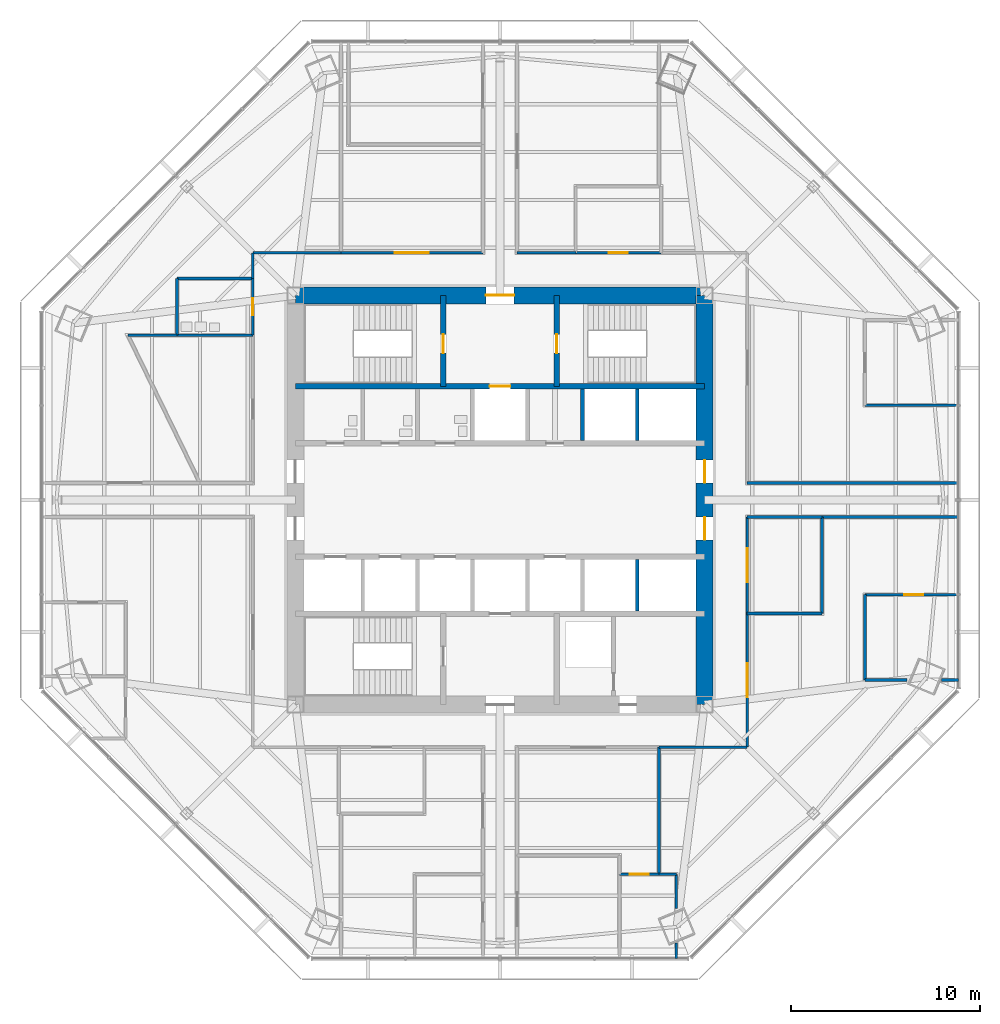
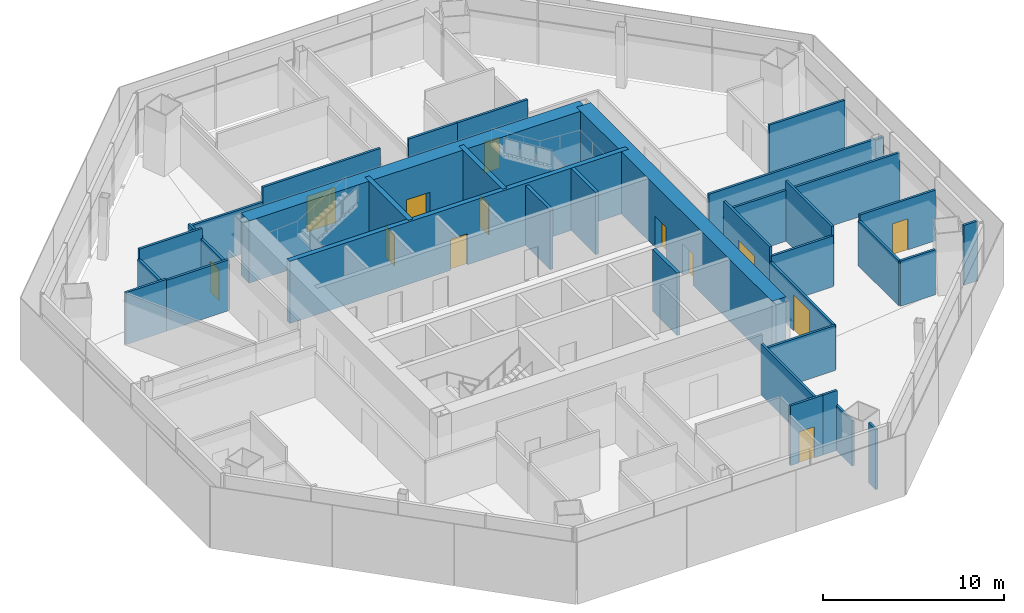
# One storey, part 10 of 14: 36 walls, 13 doors, 13 openings.
"""IFC4 building model written with IfcOpenShell, lengths in metres."""

from ifc_helpers import new_model, si_unit, direction, frame, frame_2d, origin, place, context, subcontext, project, spatial, rectangle, extrude, material, layer, layer_set, type_object, element, fill, save


model = new_model("IFC4")

# Units and contexts
model_context = context("Model", 3, precision=1e-05, world=origin(), true_north=direction((0.0, 1.0)))
body_context = subcontext(model_context, "Body", "Model", "MODEL_VIEW")
ifc_project = project(units=[si_unit("LENGTHUNIT", "METRE"), si_unit("AREAUNIT", "SQUARE_METRE"), si_unit("VOLUMEUNIT", "CUBIC_METRE"), si_unit("PLANEANGLEUNIT", "RADIAN"), si_unit("MASSUNIT", "GRAM", prefix="KILO")], contexts=[model_context])

# Site, building, storey
site_placement = place(None, origin())
site = spatial("IfcSite", under=ifc_project, at=site_placement, CompositionType="ELEMENT")
building_placement = place(site_placement, origin())
building = spatial("IfcBuilding", under=site, at=building_placement, Name="Mashrafa Tower", CompositionType="ELEMENT")
storey_placement = place(building_placement, frame((0.0, 0.0, 134.39990234375)))
storey = spatial("IfcBuildingStorey", under=building, at=storey_placement, Name="L30", CompositionType="ELEMENT", Elevation=134.39990234375)

# Wall, opening, door
ifc_material_1 = material(Name="Concrete C60/75", Category="concrete")
ifc_layer_1 = layer(ifc_material_1, 0.300048828125)
ifc_layer_set_1 = layer_set([ifc_layer_1], Name="Core wall 300 C60/75")
wall_type_1 = type_object("IfcWallType", Name="Core wall 300 C60/75", PredefinedType="SOLIDWALL", material=ifc_layer_set_1)
wall_1_placement = place(storey_placement, frame((-10.800048828125, 6.0, 0.0), z_axis=(0.0, 0.0, 1.0), x_axis=(1.0, 0.0, 0.0)))
wall_1 = element("IfcWall", 1, at=wall_1_placement, inside=storey, type_object=wall_type_1, Name="Core wall CB-N L30", PredefinedType="SOLIDWALL", context=body_context, shape_type="SweptSolid", body=[
    extrude(rectangle(XDim=21.60009765625, YDim=0.300048828125, at=frame_2d((10.800048828125, 0.0))), origin(), (0.0, 0.0, 1.0), 4.2001953125),
])
opening_1_placement = place(wall_1_placement, frame((10.25, 0.0, 0.0)))
opening_1 = element("IfcOpeningElement", 2, at=opening_1_placement, cuts=wall_1, Name="Opening 30.F1", PredefinedType="OPENING", context=body_context, shape_type="SweptSolid", body=[
    extrude(rectangle(XDim=1.10009765625, YDim=2.10009765625, at=frame_2d((0.550048828125, 1.050048828125))), frame((0.0, 0.159912109375, 0.0), z_axis=(0.0, -1.0, 0.0), x_axis=(1.0, 0.0, 0.0)), (0.0, 0.0, 1.0), 0.320068359375),
])
ifc_material_2 = material(Name="Steel door", Category="steel")
door_type_1 = type_object("IfcDoorType", Name="Lift landing door 1100 x 2100 90 min", OperationType="DOUBLE_DOOR_SLIDING", PredefinedType="DOOR", material=ifc_material_2)
door_1_placement = place(opening_1_placement, origin())
door_1 = element("IfcDoor", 3, at=door_1_placement, inside=storey, type_object=door_type_1, Name="Lift landing door F1 L30", OperationType="DOUBLE_DOOR_SLIDING", OverallHeight=2.10009765625, OverallWidth=1.10009765625, PredefinedType="DOOR", context=body_context, shape_type="SweptSolid", body=[
    extrude(rectangle(XDim=1.10009765625, YDim=2.10009765625, at=frame_2d((0.550048828125, 1.050048828125))), frame((0.0, 0.02490234375, 0.0), z_axis=(0.0, -1.0, 0.0), x_axis=(1.0, 0.0, 0.0)), (0.0, 0.0, 1.0), 0.050048828125),
])
fill(opening_1, door_1)

wall_2_placement = place(storey_placement, frame((-3.0, 6.0, 0.0), z_axis=(0.0, 0.0, 1.0), x_axis=(0.0, 1.0, 0.0)))
wall_2 = element("IfcWall", 4, at=wall_2_placement, inside=storey, type_object=wall_type_1, Name="Core wall CX-NW L30", PredefinedType="SOLIDWALL", context=body_context, shape_type="SweptSolid", body=[
    extrude(rectangle(XDim=4.800048828125, YDim=0.300048828125, at=frame_2d((2.39990234375, 0.0))), origin(), (0.0, 0.0, 1.0), 4.2001953125),
])
opening_2_placement = place(wall_2_placement, frame((1.75, 0.0, 0.0)))
opening_2 = element("IfcOpeningElement", 5, at=opening_2_placement, cuts=wall_2, Name="Opening 30.028", PredefinedType="OPENING", context=body_context, shape_type="SweptSolid", body=[
    extrude(rectangle(XDim=1.0, YDim=2.10009765625, at=frame_2d((0.5, 1.050048828125))), frame((0.0, 0.159912109375, 0.0), z_axis=(0.0, -1.0, 0.0), x_axis=(1.0, 0.0, 0.0)), (0.0, 0.0, 1.0), 0.320068359375),
])
ifc_material_3 = material(Name="Steel door", Category="steel")
door_type_2 = type_object("IfcDoorType", Name="Stair door 1000 x 2100 90 min", OperationType="USERDEFINED", PredefinedType="DOOR", material=ifc_material_3)
door_2_placement = place(opening_2_placement, origin())
door_2 = element("IfcDoor", 6, at=door_2_placement, inside=storey, type_object=door_type_2, Name="Stair S1 door L30", OperationType="SINGLE_SWING_LEFT", OverallHeight=2.10009765625, OverallWidth=1.0, PredefinedType="DOOR", context=body_context, shape_type="SweptSolid", body=[
    extrude(rectangle(XDim=1.0, YDim=2.10009765625, at=frame_2d((0.5, 1.050048828125))), frame((0.0, 0.02490234375, 0.0), z_axis=(0.0, -1.0, 0.0), x_axis=(1.0, 0.0, 0.0)), (0.0, 0.0, 1.0), 0.050048828125),
])
fill(opening_2, door_2)

wall_3_placement = place(storey_placement, frame((3.0, 6.0, 0.0), z_axis=(0.0, 0.0, 1.0), x_axis=(0.0, 1.0, 0.0)))
wall_3 = element("IfcWall", 7, at=wall_3_placement, inside=storey, type_object=wall_type_1, Name="Core wall CX-NE L30", PredefinedType="SOLIDWALL", context=body_context, shape_type="SweptSolid", body=[
    extrude(rectangle(XDim=4.800048828125, YDim=0.300048828125, at=frame_2d((2.39990234375, 0.0))), origin(), (0.0, 0.0, 1.0), 4.2001953125),
])
opening_3_placement = place(wall_3_placement, frame((1.75, 0.0, 0.0)))
opening_3 = element("IfcOpeningElement", 8, at=opening_3_placement, cuts=wall_3, Name="Opening 30.029", PredefinedType="OPENING", context=body_context, shape_type="SweptSolid", body=[
    extrude(rectangle(XDim=1.0, YDim=2.10009765625, at=frame_2d((0.5, 1.050048828125))), frame((0.0, 0.159912109375, 0.0), z_axis=(0.0, -1.0, 0.0), x_axis=(1.0, 0.0, 0.0)), (0.0, 0.0, 1.0), 0.320068359375),
])
door_3_placement = place(opening_3_placement, frame((1.0, 0.0, 0.0), z_axis=(0.0, 0.0, 1.0), x_axis=(-1.0, 0.0, 0.0)))
door_3 = element("IfcDoor", 9, at=door_3_placement, inside=storey, type_object=door_type_2, Name="Stair S2 door L30", OperationType="SINGLE_SWING_RIGHT", OverallHeight=2.10009765625, OverallWidth=1.0, PredefinedType="DOOR", context=body_context, shape_type="SweptSolid", body=[
    extrude(rectangle(XDim=1.0, YDim=2.10009765625, at=frame_2d((0.5, 1.050048828125))), frame((0.0, 0.02490234375, 0.0), z_axis=(0.0, -1.0, 0.0), x_axis=(1.0, 0.0, 0.0)), (0.0, 0.0, 1.0), 0.050048828125),
])
fill(opening_3, door_3)

# Wall, openings, doors
ifc_material_4 = material(Name="Concrete C60/75", Category="concrete")
ifc_layer_2 = layer(ifc_material_4, 0.89990234375)
ifc_layer_set_2 = layer_set([ifc_layer_2], Name="Core wall 900 C60/75")
wall_type_2 = type_object("IfcWallType", Name="Core wall 900 C60/75", PredefinedType="SOLIDWALL", material=ifc_layer_set_2)
wall_4_placement = place(storey_placement, frame((10.800048828125, -10.800048828125, 0.0), z_axis=(0.0, 0.0, 1.0), x_axis=(0.0, 1.0, 0.0)))
wall_4 = element("IfcWall", 10, at=wall_4_placement, inside=storey, type_object=wall_type_2, Name="Core wall CW-E L30", PredefinedType="SOLIDWALL", context=body_context, shape_type="SweptSolid", body=[
    extrude(rectangle(XDim=21.60009765625, YDim=0.89990234375, at=frame_2d((10.800048828125, 0.0))), origin(), (0.0, 0.0, 1.0), 4.2001953125),
])
opening_4_placement = place(wall_4_placement, frame((11.699951171875, 0.0, 0.0)))
opening_4 = element("IfcOpeningElement", 11, at=opening_4_placement, cuts=wall_4, Name="Opening 30.022", PredefinedType="OPENING", context=body_context, shape_type="SweptSolid", body=[
    extrude(rectangle(XDim=1.199951171875, YDim=2.10009765625, at=frame_2d((0.60009765625, 1.050048828125))), frame((0.0, 0.4599609375, 0.0), z_axis=(0.0, -1.0, 0.0), x_axis=(1.0, 0.0, 0.0)), (0.0, 0.0, 1.0), 0.919921875),
])
opening_5_placement = place(wall_4_placement, frame((8.699951171875, 0.0, 0.0)))
opening_5 = element("IfcOpeningElement", 12, at=opening_5_placement, cuts=wall_4, Name="Opening 30.024", PredefinedType="OPENING", context=body_context, shape_type="SweptSolid", body=[
    extrude(rectangle(XDim=1.199951171875, YDim=2.10009765625, at=frame_2d((0.60009765625, 1.050048828125))), frame((0.0, 0.4599609375, 0.0), z_axis=(0.0, -1.0, 0.0), x_axis=(1.0, 0.0, 0.0)), (0.0, 0.0, 1.0), 0.919921875),
])
ifc_material_5 = material(Name="Steel door", Category="steel")
door_type_3 = type_object("IfcDoorType", Name="Lift hall door 1200 x 2100 90 min", OperationType="USERDEFINED", PredefinedType="DOOR", material=ifc_material_5)
door_4_placement = place(opening_4_placement, frame((1.199951171875, 0.0, 0.0), z_axis=(0.0, 0.0, 1.0), x_axis=(-1.0, 0.0, 0.0)))
door_4 = element("IfcDoor", 13, at=door_4_placement, inside=storey, type_object=door_type_3, Name="Lift hall door east L30", OperationType="SINGLE_SWING_LEFT", OverallHeight=2.10009765625, OverallWidth=1.199951171875, PredefinedType="DOOR", context=body_context, shape_type="SweptSolid", body=[
    extrude(rectangle(XDim=1.199951171875, YDim=2.10009765625, at=frame_2d((0.60009765625, 1.050048828125))), frame((0.0, 0.02490234375, 0.0), z_axis=(0.0, -1.0, 0.0), x_axis=(1.0, 0.0, 0.0)), (0.0, 0.0, 1.0), 0.050048828125),
])
fill(opening_4, door_4)
door_5_placement = place(opening_5_placement, frame((1.199951171875, 0.0, 0.0), z_axis=(0.0, 0.0, 1.0), x_axis=(-1.0, 0.0, 0.0)))
door_5 = element("IfcDoor", 14, at=door_5_placement, inside=storey, type_object=door_type_3, Name="Lift hall door east L30", OperationType="SINGLE_SWING_RIGHT", OverallHeight=2.10009765625, OverallWidth=1.199951171875, PredefinedType="DOOR", context=body_context, shape_type="SweptSolid", body=[
    extrude(rectangle(XDim=1.199951171875, YDim=2.10009765625, at=frame_2d((0.60009765625, 1.050048828125))), frame((0.0, 0.02490234375, 0.0), z_axis=(0.0, -1.0, 0.0), x_axis=(1.0, 0.0, 0.0)), (0.0, 0.0, 1.0), 0.050048828125),
])
fill(opening_5, door_5)

# Wall, opening, door
wall_5_placement = place(storey_placement, frame((10.800048828125, 10.800048828125, 0.0), z_axis=(0.0, 0.0, 1.0), x_axis=(-1.0, 0.0, 0.0)))
wall_5 = element("IfcWall", 15, at=wall_5_placement, inside=storey, type_object=wall_type_2, Name="Core wall CW-N L30", PredefinedType="SOLIDWALL", context=body_context, shape_type="SweptSolid", body=[
    extrude(rectangle(XDim=21.60009765625, YDim=0.89990234375, at=frame_2d((10.800048828125, 0.0))), origin(), (0.0, 0.0, 1.0), 4.2001953125),
])
opening_6_placement = place(wall_5_placement, frame((10.050048828125, 0.0, 0.0)))
opening_6 = element("IfcOpeningElement", 16, at=opening_6_placement, cuts=wall_5, Name="Opening 30.026", PredefinedType="OPENING", context=body_context, shape_type="SweptSolid", body=[
    extrude(rectangle(XDim=1.5, YDim=2.10009765625, at=frame_2d((0.75, 1.050048828125))), frame((0.0, 0.4599609375, 0.0), z_axis=(0.0, -1.0, 0.0), x_axis=(1.0, 0.0, 0.0)), (0.0, 0.0, 1.0), 0.919921875),
])
ifc_material_6 = material(Name="Steel door", Category="steel")
door_type_4 = type_object("IfcDoorType", Name="Lobby door pair 1500 x 2100 90 min", OperationType="DOUBLE_DOOR_SINGLE_SWING", PredefinedType="DOOR", material=ifc_material_6)
door_6_placement = place(opening_6_placement, origin())
door_6 = element("IfcDoor", 17, at=door_6_placement, inside=storey, type_object=door_type_4, Name="Fire-fighting lobby F1 door L30", OperationType="DOUBLE_DOOR_SINGLE_SWING", OverallHeight=2.10009765625, OverallWidth=1.5, PredefinedType="DOOR", context=body_context, shape_type="SweptSolid", body=[
    extrude(rectangle(XDim=1.5, YDim=2.10009765625, at=frame_2d((0.75, 1.050048828125))), frame((0.0, 0.02490234375, 0.0), z_axis=(0.0, -1.0, 0.0), x_axis=(1.0, 0.0, 0.0)), (0.0, 0.0, 1.0), 0.050048828125),
])
fill(opening_6, door_6)

ifc_material_7 = material(Name="Gypsum board on steel studs", Category="steel")
ifc_layer_3 = layer(ifc_material_7, 0.14990234375)
ifc_layer_set_3 = layer_set([ifc_layer_3], Name="Corridor partition 150 1 hr")
wall_type_3 = type_object("IfcWallType", Name="Corridor partition 150 1 hr", PredefinedType="PARTITIONING", material=ifc_layer_set_3)
wall_6_placement = place(storey_placement, frame((-13.050048828125, 11.700927734375, 0.0), z_axis=(0.0, 0.0, 1.0), x_axis=(0.0, -1.0, 0.0)))
wall_6 = element("IfcWall", 18, at=wall_6_placement, inside=storey, type_object=wall_type_3, Name="Corridor wall L30-003", PredefinedType="PARTITIONING", context=body_context, shape_type="SweptSolid", body=[
    extrude(rectangle(XDim=3.001953125, YDim=0.14990234375, at=frame_2d((1.5009765625, 0.0))), origin(), (0.0, 0.0, 1.0), 3.0419921875),
])
opening_7_placement = place(wall_6_placement, frame((1.051025390625, 0.0, 0.0)))
opening_7 = element("IfcOpeningElement", 19, at=opening_7_placement, cuts=wall_6, Name="Opening 30.002", PredefinedType="OPENING", context=body_context, shape_type="SweptSolid", body=[
    extrude(rectangle(XDim=0.89990234375, YDim=2.10009765625, at=frame_2d((0.449951171875, 1.050048828125))), frame((0.0, 0.0849609375, 0.0), z_axis=(0.0, -1.0, 0.0), x_axis=(1.0, 0.0, 0.0)), (0.0, 0.0, 1.0), 0.169921875),
])
ifc_material_8 = material(Name="Timber door", Category="wood")
door_type_5 = type_object("IfcDoorType", Name="Toilet door 900 x 2100", OperationType="USERDEFINED", PredefinedType="DOOR", material=ifc_material_8)
door_7_placement = place(opening_7_placement, frame((0.89990234375, 0.0, 0.0), z_axis=(0.0, 0.0, 1.0), x_axis=(-1.0, 0.0, 0.0)))
door_7 = element("IfcDoor", 20, at=door_7_placement, inside=storey, type_object=door_type_5, Name="Ablution Room L30 door", OperationType="SINGLE_SWING_RIGHT", OverallHeight=2.10009765625, OverallWidth=0.89990234375, PredefinedType="DOOR", context=body_context, shape_type="SweptSolid", body=[
    extrude(rectangle(XDim=0.89990234375, YDim=2.10009765625, at=frame_2d((0.449951171875, 1.050048828125))), frame((0.0, 0.02490234375, 0.0), z_axis=(0.0, -1.0, 0.0), x_axis=(1.0, 0.0, 0.0)), (0.0, 0.0, 1.0), 0.050048828125),
])
fill(opening_7, door_7)

wall_7_placement = place(storey_placement, frame((8.5009765625, 13.050048828125, 0.0), z_axis=(0.0, 0.0, 1.0), x_axis=(-1.0, 0.0, 0.0)))
wall_7 = element("IfcWall", 21, at=wall_7_placement, inside=storey, type_object=wall_type_3, Name="Corridor wall L30-005", PredefinedType="PARTITIONING", context=body_context, shape_type="SweptSolid", body=[
    extrude(rectangle(XDim=4.501953125, YDim=0.14990234375, at=frame_2d((2.2509765625, 0.0))), origin(), (0.0, 0.0, 1.0), 4.03515625),
])
opening_8_placement = place(wall_7_placement, frame((1.7509765625, 0.0, 0.0)))
opening_8 = element("IfcOpeningElement", 22, at=opening_8_placement, cuts=wall_7, Name="Opening 30.004", PredefinedType="OPENING", context=body_context, shape_type="SweptSolid", body=[
    extrude(rectangle(XDim=1.0, YDim=2.10009765625, at=frame_2d((0.5, 1.050048828125))), frame((0.0, 0.0849609375, 0.0), z_axis=(0.0, -1.0, 0.0), x_axis=(1.0, 0.0, 0.0)), (0.0, 0.0, 1.0), 0.169921875),
])
ifc_material_9 = material(Name="Timber door", Category="wood")
door_type_6 = type_object("IfcDoorType", Name="Door 1000 x 2100", OperationType="USERDEFINED", PredefinedType="DOOR", material=ifc_material_9)
door_8_placement = place(opening_8_placement, frame((1.0, 0.0, 0.0), z_axis=(0.0, 0.0, 1.0), x_axis=(-1.0, 0.0, 0.0)))
door_8 = element("IfcDoor", 23, at=door_8_placement, inside=storey, type_object=door_type_6, Name="Pantry 30-N door", OperationType="SINGLE_SWING_RIGHT", OverallHeight=2.10009765625, OverallWidth=1.0, PredefinedType="DOOR", context=body_context, shape_type="SweptSolid", body=[
    extrude(rectangle(XDim=1.0, YDim=2.10009765625, at=frame_2d((0.5, 1.050048828125))), frame((0.0, 0.02490234375, 0.0), z_axis=(0.0, -1.0, 0.0), x_axis=(1.0, 0.0, 0.0)), (0.0, 0.0, 1.0), 0.050048828125),
])
fill(opening_8, door_8)

wall_8_placement = place(storey_placement, frame((13.050048828125, -6.0009765625, 0.0), z_axis=(0.0, 0.0, 1.0), x_axis=(0.0, 1.0, 0.0)))
wall_8 = element("IfcWall", 24, at=wall_8_placement, inside=storey, type_object=wall_type_3, Name="Corridor wall L30-006", PredefinedType="PARTITIONING", context=body_context, shape_type="SweptSolid", body=[
    extrude(rectangle(XDim=5.10107421875, YDim=0.14990234375, at=frame_2d((2.550537109375, 0.0))), origin(), (0.0, 0.0, 1.0), 4.03515625),
])
opening_9_placement = place(wall_8_placement, frame((1.650390625, 0.0, 0.0)))
opening_9 = element("IfcOpeningElement", 25, at=opening_9_placement, cuts=wall_8, Name="Opening 30.005", PredefinedType="OPENING", context=body_context, shape_type="SweptSolid", body=[
    extrude(rectangle(XDim=1.800048828125, YDim=2.39990234375, at=frame_2d((0.89990234375, 1.199951171875))), frame((0.0, 0.0849609375, 0.0), z_axis=(0.0, -1.0, 0.0), x_axis=(1.0, 0.0, 0.0)), (0.0, 0.0, 1.0), 0.169921875),
])
ifc_material_10 = material(Name="Steel door", Category="steel")
door_type_7 = type_object("IfcDoorType", Name="Door pair 1800 x 2400 90 min", OperationType="DOUBLE_DOOR_SINGLE_SWING", PredefinedType="DOOR", material=ifc_material_10)
door_9_placement = place(opening_9_placement, origin())
door_9 = element("IfcDoor", 26, at=door_9_placement, inside=storey, type_object=door_type_7, Name="Reception 30-S door", OperationType="DOUBLE_DOOR_SINGLE_SWING", OverallHeight=2.39990234375, OverallWidth=1.800048828125, PredefinedType="DOOR", context=body_context, shape_type="SweptSolid", body=[
    extrude(rectangle(XDim=1.800048828125, YDim=2.39990234375, at=frame_2d((0.89990234375, 1.199951171875))), frame((0.0, 0.02490234375, 0.0), z_axis=(0.0, -1.0, 0.0), x_axis=(1.0, 0.0, 0.0)), (0.0, 0.0, 1.0), 0.050048828125),
])
fill(opening_9, door_9)

# Walls
wall_9_placement = place(storey_placement, frame((13.050048828125, -0.89990234375, 0.0), z_axis=(0.0, 0.0, 1.0), x_axis=(1.0, 0.0, 0.0)))
element("IfcWall", 27, at=wall_9_placement, inside=storey, type_object=wall_type_3, Name="Corridor wall L30-007", PredefinedType="PARTITIONING", context=body_context, shape_type="SweptSolid", body=[
    extrude(rectangle(XDim=3.950927734375, YDim=0.14990234375, at=frame_2d((1.9755859375, 0.0))), origin(), (0.0, 0.0, 1.0), 3.42578125),
])
wall_10_placement = place(storey_placement, frame((24.194580078125, 0.89990234375, 0.0), z_axis=(0.0, 0.0, 1.0), x_axis=(-1.0, 0.0, 0.0)))
element("IfcWall", 28, at=wall_10_placement, inside=storey, type_object=wall_type_3, Name="Corridor wall L30-011", PredefinedType="PARTITIONING", context=body_context, shape_type="SweptSolid", body=[
    extrude(rectangle(XDim=11.14453125, YDim=0.14990234375, at=frame_2d((5.572265625, 0.0))), origin(), (0.0, 0.0, 1.0), 3.42578125),
])
wall_11_placement = place(storey_placement, frame((4.0009765625, 13.050048828125, 0.0), z_axis=(0.0, 0.0, 1.0), x_axis=(-1.0, 0.0, 0.0)))
element("IfcWall", 29, at=wall_11_placement, inside=storey, type_object=wall_type_3, Name="Corridor wall L30-014", PredefinedType="PARTITIONING", context=body_context, shape_type="SweptSolid", body=[
    extrude(rectangle(XDim=3.10107421875, YDim=0.14990234375, at=frame_2d((1.550537109375, 0.0))), origin(), (0.0, 0.0, 1.0), 4.03515625),
])
wall_12_placement = place(storey_placement, frame((-8.39892578125, 13.050048828125, 0.0), z_axis=(0.0, 0.0, 1.0), x_axis=(-1.0, 0.0, 0.0)))
element("IfcWall", 30, at=wall_12_placement, inside=storey, type_object=wall_type_3, Name="Corridor wall L30-017", PredefinedType="PARTITIONING", context=body_context, shape_type="SweptSolid", body=[
    extrude(rectangle(XDim=4.651123046875, YDim=0.14990234375, at=frame_2d((2.32568359375, 0.0))), origin(), (0.0, 0.0, 1.0), 3.0419921875),
])
wall_13_placement = place(storey_placement, frame((-13.050048828125, 13.050048828125, 0.0), z_axis=(0.0, 0.0, 1.0), x_axis=(0.0, -1.0, 0.0)))
element("IfcWall", 31, at=wall_13_placement, inside=storey, type_object=wall_type_3, Name="Corridor wall L30-018", PredefinedType="PARTITIONING", context=body_context, shape_type="SweptSolid", body=[
    extrude(rectangle(XDim=1.35107421875, YDim=0.14990234375, at=frame_2d((0.675537109375, 0.0))), origin(), (0.0, 0.0, 1.0), 3.184326171875),
])

# Wall, opening, door
wall_14_placement = place(storey_placement, frame((-0.89990234375, 13.050048828125, 0.0), z_axis=(0.0, 0.0, 1.0), x_axis=(-1.0, 0.0, 0.0)))
wall_14 = element("IfcWall", 32, at=wall_14_placement, inside=storey, type_object=wall_type_3, Name="Corridor wall L30-020", PredefinedType="PARTITIONING", context=body_context, shape_type="SweptSolid", body=[
    extrude(rectangle(XDim=7.5009765625, YDim=0.14990234375, at=frame_2d((3.75048828125, 0.0))), origin(), (0.0, 0.0, 1.0), 4.03515625),
])
opening_10_placement = place(wall_14_placement, frame((2.8505859375, 0.0, 0.0)))
opening_10 = element("IfcOpeningElement", 33, at=opening_10_placement, cuts=wall_14, Name="Opening 30.017", PredefinedType="OPENING", context=body_context, shape_type="SweptSolid", body=[
    extrude(rectangle(XDim=1.800048828125, YDim=2.39990234375, at=frame_2d((0.89990234375, 1.199951171875))), frame((0.0, 0.0849609375, 0.0), z_axis=(0.0, -1.0, 0.0), x_axis=(1.0, 0.0, 0.0)), (0.0, 0.0, 1.0), 0.169921875),
])
ifc_material_11 = material(Name="Timber door", Category="wood")
door_type_8 = type_object("IfcDoorType", Name="Door pair 1800 x 2400", OperationType="DOUBLE_DOOR_SINGLE_SWING", PredefinedType="DOOR", material=ifc_material_11)
door_10_placement = place(opening_10_placement, frame((1.800048828125, 0.0, 0.0), z_axis=(0.0, 0.0, 1.0), x_axis=(-1.0, 0.0, 0.0)))
door_10 = element("IfcDoor", 34, at=door_10_placement, inside=storey, type_object=door_type_8, Name="Office Tenancy 30-N-NW2 door", OperationType="DOUBLE_DOOR_SINGLE_SWING", OverallHeight=2.39990234375, OverallWidth=1.800048828125, PredefinedType="DOOR", context=body_context, shape_type="SweptSolid", body=[
    extrude(rectangle(XDim=1.800048828125, YDim=2.39990234375, at=frame_2d((0.89990234375, 1.199951171875))), frame((0.0, 0.02490234375, 0.0), z_axis=(0.0, -1.0, 0.0), x_axis=(1.0, 0.0, 0.0)), (0.0, 0.0, 1.0), 0.050048828125),
])
fill(opening_10, door_10)

# Wall
wall_15_placement = place(storey_placement, frame((8.39892578125, -13.050048828125, 0.0), z_axis=(0.0, 0.0, 1.0), x_axis=(1.0, 0.0, 0.0)))
element("IfcWall", 35, at=wall_15_placement, inside=storey, type_object=wall_type_3, Name="Corridor wall L30-026", PredefinedType="PARTITIONING", context=body_context, shape_type="SweptSolid", body=[
    extrude(rectangle(XDim=4.651123046875, YDim=0.14990234375, at=frame_2d((2.32568359375, 0.0))), origin(), (0.0, 0.0, 1.0), 3.0419921875),
])

# Wall, opening, door
wall_16_placement = place(storey_placement, frame((13.050048828125, -13.050048828125, 0.0), z_axis=(0.0, 0.0, 1.0), x_axis=(0.0, 1.0, 0.0)))
wall_16 = element("IfcWall", 36, at=wall_16_placement, inside=storey, type_object=wall_type_3, Name="Corridor wall L30-027", PredefinedType="PARTITIONING", context=body_context, shape_type="SweptSolid", body=[
    extrude(rectangle(XDim=7.051025390625, YDim=0.14990234375, at=frame_2d((3.525390625, 0.0))), origin(), (0.0, 0.0, 1.0), 3.0419921875),
])
opening_11_placement = place(wall_16_placement, frame((2.62548828125, 0.0, 0.0)))
opening_11 = element("IfcOpeningElement", 37, at=opening_11_placement, cuts=wall_16, Name="Opening 30.020", PredefinedType="OPENING", context=body_context, shape_type="SweptSolid", body=[
    extrude(rectangle(XDim=1.800048828125, YDim=2.39990234375, at=frame_2d((0.89990234375, 1.199951171875))), frame((0.0, 0.0849609375, 0.0), z_axis=(0.0, -1.0, 0.0), x_axis=(1.0, 0.0, 0.0)), (0.0, 0.0, 1.0), 0.169921875),
])
door_11_placement = place(opening_11_placement, frame((1.800048828125, 0.0, 0.0), z_axis=(0.0, 0.0, 1.0), x_axis=(-1.0, 0.0, 0.0)))
door_11 = element("IfcDoor", 38, at=door_11_placement, inside=storey, type_object=door_type_8, Name="Office Tenancy 30-S-SE1 door", OperationType="DOUBLE_DOOR_SINGLE_SWING", OverallHeight=2.39990234375, OverallWidth=1.800048828125, PredefinedType="DOOR", context=body_context, shape_type="SweptSolid", body=[
    extrude(rectangle(XDim=1.800048828125, YDim=2.39990234375, at=frame_2d((0.89990234375, 1.199951171875))), frame((0.0, 0.02490234375, 0.0), z_axis=(0.0, -1.0, 0.0), x_axis=(1.0, 0.0, 0.0)), (0.0, 0.0, 1.0), 0.050048828125),
])
fill(opening_11, door_11)

# Walls
wall_17_placement = place(storey_placement, frame((16.9990234375, -0.89990234375, 0.0), z_axis=(0.0, 0.0, 1.0), x_axis=(1.0, 0.0, 0.0)))
element("IfcWall", 39, at=wall_17_placement, inside=storey, type_object=wall_type_3, Name="Corridor wall L30-028", PredefinedType="PARTITIONING", context=body_context, shape_type="SweptSolid", body=[
    extrude(rectangle(XDim=7.195556640625, YDim=0.14990234375, at=frame_2d((3.59765625, 0.0))), origin(), (0.0, 0.0, 1.0), 3.42578125),
])
wall_18_placement = place(storey_placement, frame((13.050048828125, -6.0, 0.0), z_axis=(0.0, 0.0, 1.0), x_axis=(1.0, 0.0, 0.0)))
element("IfcWall", 40, at=wall_18_placement, inside=storey, type_object=wall_type_3, Name="Corridor wall L30-041", PredefinedType="PARTITIONING", context=body_context, shape_type="SweptSolid", body=[
    extrude(rectangle(XDim=3.949951171875, YDim=0.14990234375, at=frame_2d((1.97509765625, 0.0))), origin(), (0.0, 0.0, 1.0), 3.42578125),
])
wall_19_placement = place(storey_placement, frame((17.0, -6.0, 0.0), z_axis=(0.0, 0.0, 1.0), x_axis=(0.0, 1.0, 0.0)))
element("IfcWall", 41, at=wall_19_placement, inside=storey, type_object=wall_type_3, Name="Corridor wall L30-042", PredefinedType="PARTITIONING", context=body_context, shape_type="SweptSolid", body=[
    extrude(rectangle(XDim=5.10009765625, YDim=0.14990234375, at=frame_2d((2.550048828125, 0.0))), origin(), (0.0, 0.0, 1.0), 4.03515625),
])
ifc_material_12 = material(Name="Gypsum board on steel studs", Category="steel")
ifc_layer_4 = layer(ifc_material_12, 0.14990234375)
ifc_layer_set_4 = layer_set([ifc_layer_4], Name="Partition 150")
wall_type_4 = type_object("IfcWallType", Name="Partition 150", PredefinedType="PARTITIONING", material=ifc_layer_set_4)
wall_20_placement = place(storey_placement, frame((-13.050048828125, 8.699951171875, 0.0), z_axis=(0.0, 0.0, 1.0), x_axis=(-1.0, 0.0, 0.0)))
element("IfcWall", 42, at=wall_20_placement, inside=storey, type_object=wall_type_4, Name="Partition wall L30-031", PredefinedType="PARTITIONING", context=body_context, shape_type="SweptSolid", body=[
    extrude(rectangle(XDim=4.0009765625, YDim=0.14990234375, at=frame_2d((2.00048828125, 0.0))), origin(), (0.0, 0.0, 1.0), 3.42578125),
])
wall_21_placement = place(storey_placement, frame((-17.049072265625, 8.699951171875, 0.0), z_axis=(0.0, 0.0, 1.0), x_axis=(-1.0, 0.0, 0.0)))
element("IfcWall", 43, at=wall_21_placement, inside=storey, type_object=wall_type_4, Name="Partition wall L30-032", PredefinedType="PARTITIONING", context=body_context, shape_type="SweptSolid", body=[
    extrude(rectangle(XDim=2.600830078125, YDim=0.14990234375, at=frame_2d((1.30029296875, 0.0))), origin(), (0.0, 0.0, 1.0), 3.499267578125),
])
wall_22_placement = place(storey_placement, frame((-13.050048828125, 11.699951171875, 0.0), z_axis=(0.0, 0.0, 1.0), x_axis=(-1.0, 0.0, 0.0)))
element("IfcWall", 44, at=wall_22_placement, inside=storey, type_object=wall_type_4, Name="Partition wall L30-034", PredefinedType="PARTITIONING", context=body_context, shape_type="SweptSolid", body=[
    extrude(rectangle(XDim=4.0, YDim=0.14990234375, at=frame_2d((2.0, 0.0))), origin(), (0.0, 0.0, 1.0), 3.715087890625),
])
wall_23_placement = place(storey_placement, frame((-17.050048828125, 11.699951171875, 0.0), z_axis=(0.0, 0.0, 1.0), x_axis=(0.0, -1.0, 0.0)))
element("IfcWall", 45, at=wall_23_placement, inside=storey, type_object=wall_type_4, Name="Partition wall L30-035", PredefinedType="PARTITIONING", context=body_context, shape_type="SweptSolid", body=[
    extrude(rectangle(XDim=3.0, YDim=0.14990234375, at=frame_2d((1.5, 0.0))), origin(), (0.0, 0.0, 1.0), 3.0419921875),
])
wall_24_placement = place(storey_placement, frame((19.2626953125, 5.0, 0.0), z_axis=(0.0, 0.0, 1.0), x_axis=(1.0, 0.0, 0.0)))
element("IfcWall", 46, at=wall_24_placement, inside=storey, type_object=wall_type_4, Name="Partition wall L30-049", PredefinedType="PARTITIONING", context=body_context, shape_type="SweptSolid", body=[
    extrude(rectangle(XDim=4.83251953125, YDim=0.14990234375, at=frame_2d((2.416259765625, 0.0))), origin(), (0.0, 0.0, 1.0), 3.42578125),
])

# Wall, opening, door
wall_25_placement = place(storey_placement, frame((24.09521484375, -5.0, 0.0), z_axis=(0.0, 0.0, 1.0), x_axis=(-1.0, 0.0, 0.0)))
wall_25 = element("IfcWall", 47, at=wall_25_placement, inside=storey, type_object=wall_type_4, Name="Partition wall L30-050", PredefinedType="PARTITIONING", context=body_context, shape_type="SweptSolid", body=[
    extrude(rectangle(XDim=4.83251953125, YDim=0.14990234375, at=frame_2d((2.416259765625, 0.0))), origin(), (0.0, 0.0, 1.0), 3.42578125),
])
opening_12_placement = place(wall_25_placement, frame((1.75, 0.0, 0.0)))
opening_12 = element("IfcOpeningElement", 48, at=opening_12_placement, cuts=wall_25, Name="Opening 30.008", PredefinedType="OPENING", context=body_context, shape_type="SweptSolid", body=[
    extrude(rectangle(XDim=1.0, YDim=2.10009765625, at=frame_2d((0.5, 1.050048828125))), frame((0.0, 0.0849609375, 0.0), z_axis=(0.0, -1.0, 0.0), x_axis=(1.0, 0.0, 0.0)), (0.0, 0.0, 1.0), 0.169921875),
])
door_12_placement = place(opening_12_placement, origin())
door_12 = element("IfcDoor", 49, at=door_12_placement, inside=storey, type_object=door_type_6, Name="Meeting Room 30-S-SE1 door", OperationType="SINGLE_SWING_LEFT", OverallHeight=2.10009765625, OverallWidth=1.0, PredefinedType="DOOR", context=body_context, shape_type="SweptSolid", body=[
    extrude(rectangle(XDim=1.0, YDim=2.10009765625, at=frame_2d((0.5, 1.050048828125))), frame((0.0, 0.02490234375, 0.0), z_axis=(0.0, -1.0, 0.0), x_axis=(1.0, 0.0, 0.0)), (0.0, 0.0, 1.0), 0.050048828125),
])
fill(opening_12, door_12)

# Walls
wall_26_placement = place(storey_placement, frame((19.2626953125, -5.0, 0.0), z_axis=(0.0, 0.0, 1.0), x_axis=(0.0, -1.0, 0.0)))
element("IfcWall", 50, at=wall_26_placement, inside=storey, type_object=wall_type_4, Name="Partition wall L30-051", PredefinedType="PARTITIONING", context=body_context, shape_type="SweptSolid", body=[
    extrude(rectangle(XDim=4.5, YDim=0.14990234375, at=frame_2d((2.25, 0.0))), origin(), (0.0, 0.0, 1.0), 3.0419921875),
])
wall_27_placement = place(storey_placement, frame((19.2626953125, -9.5, 0.0), z_axis=(0.0, 0.0, 1.0), x_axis=(1.0, 0.0, 0.0)))
element("IfcWall", 51, at=wall_27_placement, inside=storey, type_object=wall_type_4, Name="Partition wall L30-052", PredefinedType="PARTITIONING", context=body_context, shape_type="SweptSolid", body=[
    extrude(rectangle(XDim=2.231201171875, YDim=0.14990234375, at=frame_2d((1.11572265625, 0.0))), origin(), (0.0, 0.0, 1.0), 3.0419921875),
])
wall_28_placement = place(storey_placement, frame((23.298583984375, -9.5, 0.0), z_axis=(0.0, 0.0, 1.0), x_axis=(1.0, 0.0, 0.0)))
element("IfcWall", 52, at=wall_28_placement, inside=storey, type_object=wall_type_4, Name="Partition wall L30-053", PredefinedType="PARTITIONING", context=body_context, shape_type="SweptSolid", body=[
    extrude(rectangle(XDim=0.89599609375, YDim=0.14990234375, at=frame_2d((0.447998046875, 0.0))), origin(), (0.0, 0.0, 1.0), 4.03515625),
])
wall_29_placement = place(storey_placement, frame((9.30908203125, -24.194580078125, 0.0), z_axis=(0.0, 0.0, 1.0), x_axis=(0.0, 1.0, 0.0)))
element("IfcWall", 53, at=wall_29_placement, inside=storey, type_object=wall_type_4, Name="Partition wall L30-057", PredefinedType="PARTITIONING", context=body_context, shape_type="SweptSolid", body=[
    extrude(rectangle(XDim=0.81689453125, YDim=0.14990234375, at=frame_2d((0.408447265625, 0.0))), origin(), (0.0, 0.0, 1.0), 4.03515625),
])
wall_30_placement = place(storey_placement, frame((9.30908203125, -21.572998046875, 0.0), z_axis=(0.0, 0.0, 1.0), x_axis=(0.0, 1.0, 0.0)))
element("IfcWall", 54, at=wall_30_placement, inside=storey, type_object=wall_type_4, Name="Partition wall L30-058", PredefinedType="PARTITIONING", context=body_context, shape_type="SweptSolid", body=[
    extrude(rectangle(XDim=1.810302734375, YDim=0.14990234375, at=frame_2d((0.9052734375, 0.0))), origin(), (0.0, 0.0, 1.0), 3.0419921875),
])
wall_31_placement = place(storey_placement, frame((9.30908203125, -19.7626953125, 0.0), z_axis=(0.0, 0.0, 1.0), x_axis=(-1.0, 0.0, 0.0)))
element("IfcWall", 55, at=wall_31_placement, inside=storey, type_object=wall_type_4, Name="Partition wall L30-059", PredefinedType="PARTITIONING", context=body_context, shape_type="SweptSolid", body=[
    extrude(rectangle(XDim=0.91015625, YDim=0.14990234375, at=frame_2d((0.455078125, 0.0))), origin(), (0.0, 0.0, 1.0), 4.03515625),
])

# Wall, opening, door
wall_32_placement = place(storey_placement, frame((8.40087890625, -19.7626953125, 0.0), z_axis=(0.0, 0.0, 1.0), x_axis=(-1.0, 0.0, 0.0)))
wall_32 = element("IfcWall", 56, at=wall_32_placement, inside=storey, type_object=wall_type_4, Name="Partition wall L30-060", PredefinedType="PARTITIONING", context=body_context, shape_type="SweptSolid", body=[
    extrude(rectangle(XDim=2.091796875, YDim=0.14990234375, at=frame_2d((1.0458984375, 0.0))), origin(), (0.0, 0.0, 1.0), 4.03515625),
])
opening_13_placement = place(wall_32_placement, frame((0.5458984375, 0.0, 0.0)))
opening_13 = element("IfcOpeningElement", 57, at=opening_13_placement, cuts=wall_32, Name="Opening 30.010", PredefinedType="OPENING", context=body_context, shape_type="SweptSolid", body=[
    extrude(rectangle(XDim=1.0, YDim=2.10009765625, at=frame_2d((0.5, 1.050048828125))), frame((0.0, 0.0849609375, 0.0), z_axis=(0.0, -1.0, 0.0), x_axis=(1.0, 0.0, 0.0)), (0.0, 0.0, 1.0), 0.169921875),
])
door_13_placement = place(opening_13_placement, origin())
door_13 = element("IfcDoor", 58, at=door_13_placement, inside=storey, type_object=door_type_6, Name="Interview Room 30-S-SE2 door", OperationType="SINGLE_SWING_RIGHT", OverallHeight=2.10009765625, OverallWidth=1.0, PredefinedType="DOOR", context=body_context, shape_type="SweptSolid", body=[
    extrude(rectangle(XDim=1.0, YDim=2.10009765625, at=frame_2d((0.5, 1.050048828125))), frame((0.0, 0.02490234375, 0.0), z_axis=(0.0, -1.0, 0.0), x_axis=(1.0, 0.0, 0.0)), (0.0, 0.0, 1.0), 0.050048828125),
])
fill(opening_13, door_13)

# Walls
wall_33_placement = place(storey_placement, frame((8.39990234375, -13.050048828125, 0.0), z_axis=(0.0, 0.0, 1.0), x_axis=(0.0, -1.0, 0.0)))
element("IfcWall", 59, at=wall_33_placement, inside=storey, type_object=wall_type_4, Name="Partition wall L30-075", PredefinedType="PARTITIONING", context=body_context, shape_type="SweptSolid", body=[
    extrude(rectangle(XDim=6.712646484375, YDim=0.14990234375, at=frame_2d((3.3564453125, 0.0))), origin(), (0.0, 0.0, 1.0), 3.42578125),
])
ifc_material_13 = material(Name="Gypsum shaft wall on steel studs", Category="steel")
ifc_layer_5 = layer(ifc_material_13, 0.199951171875)
ifc_layer_set_5 = layer_set([ifc_layer_5], Name="Shaft divider wall 200 2 hr")
wall_type_5 = type_object("IfcWallType", Name="Shaft divider wall 200 2 hr", PredefinedType="PARTITIONING", material=ifc_layer_set_5)
wall_34_placement = place(storey_placement, frame((4.35009765625, 3.14990234375, 0.0), z_axis=(0.0, 0.0, 1.0), x_axis=(0.0, 1.0, 0.0)))
element("IfcWall", 60, at=wall_34_placement, inside=storey, type_object=wall_type_5, Name="Shaft divider wall N5 L30", PredefinedType="PARTITIONING", context=body_context, shape_type="SweptSolid", body=[
    extrude(rectangle(XDim=2.7001953125, YDim=0.199951171875, at=frame_2d((1.35009765625, 0.0))), origin(), (0.0, 0.0, 1.0), 4.03515625),
])
for number, where, z_axis, x_axis, name in (
    (61, (7.25, 3.14990234375, 0.0), (0.0, 0.0, 1.0), (0.0, 1.0, 0.0), "Shaft divider wall N6 L30"),
    (62, (7.25, -5.85009765625, 0.0), (0.0, 0.0, 1.0), (0.0, 1.0, 0.0), "Shaft divider wall S6 L30"),
):
    element("IfcWall", number, at=place(storey_placement, frame(where, z_axis=z_axis, x_axis=x_axis)), inside=storey, type_object=wall_type_5, Name=name, PredefinedType="PARTITIONING", context=body_context, shape_type="SweptSolid", body=[
        extrude(rectangle(XDim=2.7001953125, YDim=0.199951171875, at=frame_2d((1.35009765625, 0.0))), origin(), (0.0, 0.0, 1.0), 4.2001953125),
    ])

save(model, "model.ifc")
